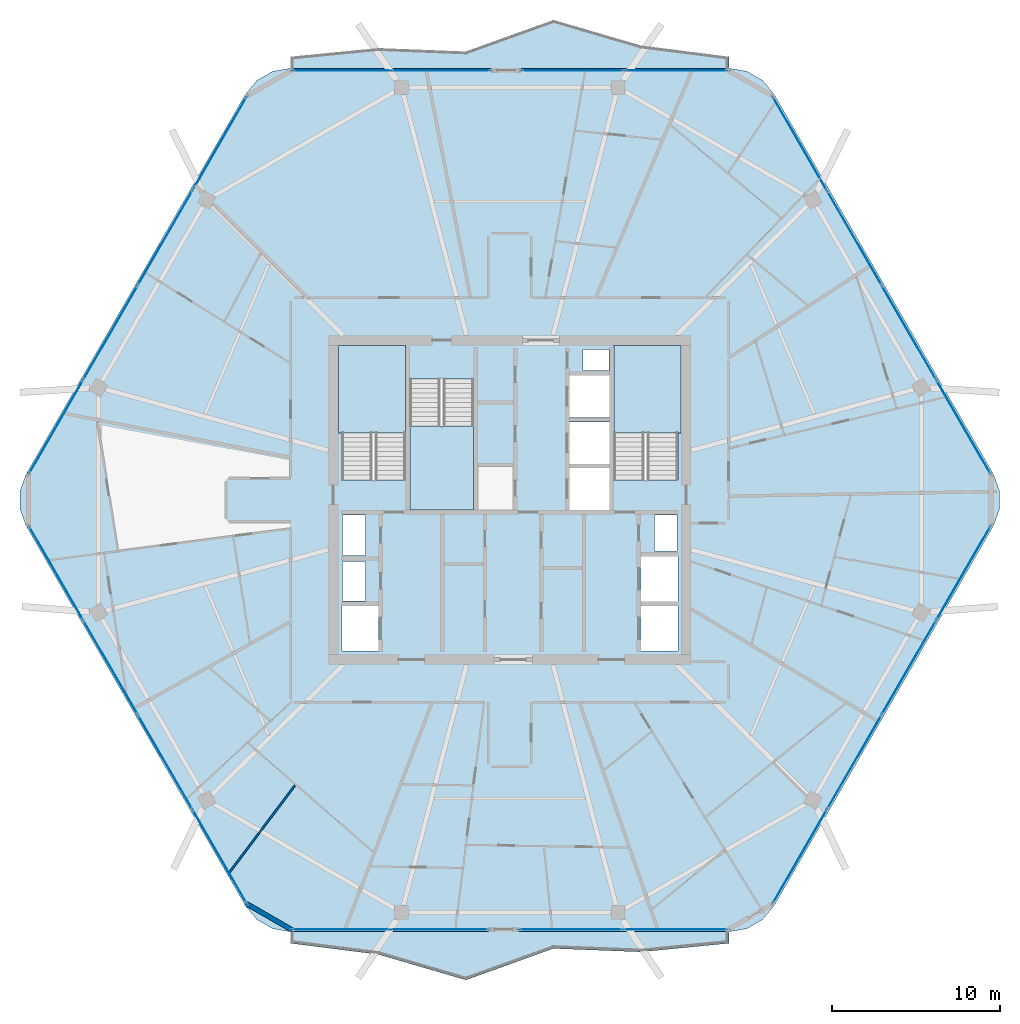
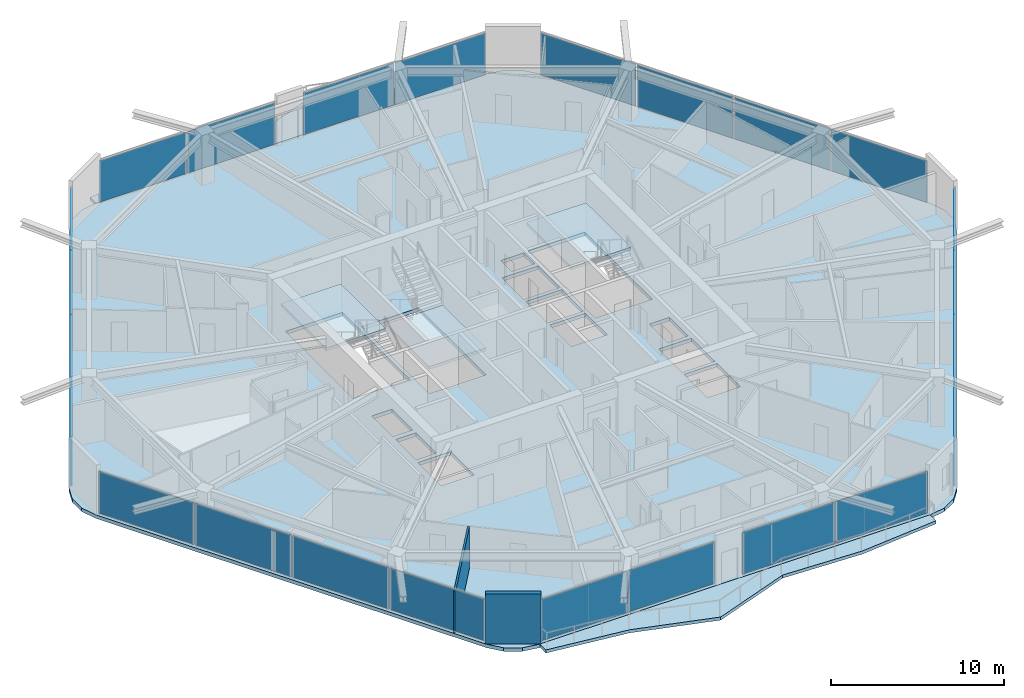
# One storey, part 18 of 26: 24 plates, 6 slabs, 2 walls, 11 elements without a shape of their own.
"""IFC4 building model written with IfcOpenShell, lengths in metres."""

from ifc_helpers import new_model, si_unit, direction, frame, frame_2d, origin, origin_2d, place, context, subcontext, project, spatial, polyline, rectangle, outline, extrude, material, layer, layer_set, type_object, element, aggregate, save


model = new_model("IFC4")

# Units and contexts
model_context = context("Model", 3, precision=1e-05, world=origin(), true_north=direction((0.0, 1.0)))
body_context = subcontext(model_context, "Body", "Model", "MODEL_VIEW")
ifc_project = project(units=[si_unit("LENGTHUNIT", "METRE"), si_unit("AREAUNIT", "SQUARE_METRE"), si_unit("VOLUMEUNIT", "CUBIC_METRE"), si_unit("PLANEANGLEUNIT", "RADIAN"), si_unit("MASSUNIT", "GRAM", prefix="KILO")], contexts=[model_context])

# Site, building, storey
site_placement = place(None, origin())
site = spatial("IfcSite", under=ifc_project, at=site_placement, CompositionType="ELEMENT")
building_placement = place(site_placement, origin())
building = spatial("IfcBuilding", under=site, at=building_placement, Name="Zuhravey Tower", CompositionType="ELEMENT")
storey_placement = place(building_placement, frame((0.0, 0.0, 288.199951171875)))
storey = spatial("IfcBuildingStorey", under=building, at=storey_placement, Name="L73", CompositionType="ELEMENT", Elevation=288.199951171875)

# Slabs
ifc_material_1 = material(Name="Concrete C50/60", Category="concrete")
ifc_layer_1 = layer(ifc_material_1, 0.25)
ifc_layer_set_1 = layer_set([ifc_layer_1], Name="Concrete C50/60")
slab_type_1 = type_object("IfcSlabType", Name="Residential Acoustic Slab 250", PredefinedType="FLOOR", material=ifc_layer_set_1)
slab_1_placement = place(storey_placement, frame((0.0, 0.0, -0.25)))
element("IfcSlab", 1, at=slab_1_placement, inside=storey, type_object=slab_type_1, Name="L73 Floor Slab FS25", PredefinedType="FLOOR", context=body_context, shape_type="SweptSolid", body=[
    extrude(outline(polyline([(64.78515625, 30.449951171875), (65.1533203125, 31.461669921875), (65.1533203125, 32.538330078125), (64.78515625, 33.550048828125), (51.73486328125, 56.153564453125), (51.04296875, 56.978515625), (50.110595703125, 57.5166015625), (49.05029296875, 57.70361328125), (22.94970703125, 57.70361328125), (21.889404296875, 57.5166015625), (20.95703125, 56.978515625), (20.26513671875, 56.153564453125), (7.21484375, 33.550048828125), (6.8466796875, 32.538330078125), (6.8466796875, 31.461669921875), (7.21484375, 30.449951171875), (20.26513671875, 7.846435546875), (20.95703125, 7.021484375), (21.889404296875, 6.4833984375), (22.94970703125, 6.29638671875), (49.05029296875, 6.29638671875), (50.110595703125, 6.4833984375), (51.04296875, 7.021484375), (51.73486328125, 7.846435546875), (64.78515625, 30.449951171875)]), holes=[polyline([(29.800048828125, 33.20068359375), (29.800048828125, 41.0), (26.0, 41.0), (26.0, 33.20068359375), (29.800048828125, 33.20068359375)]), polyline([(46.0, 33.20068359375), (46.0, 41.0), (42.199951171875, 41.0), (42.199951171875, 33.20068359375), (46.0, 33.20068359375)]), polyline([(30.050048828125, 39.199462890625), (30.050048828125, 31.39990234375), (33.85009765625, 31.39990234375), (33.85009765625, 39.199462890625), (30.050048828125, 39.199462890625)]), polyline([(39.550048828125, 31.39990234375), (41.949951171875, 31.39990234375), (41.949951171875, 33.89990234375), (39.550048828125, 33.89990234375), (39.550048828125, 31.39990234375)]), polyline([(39.550048828125, 34.14990234375), (41.949951171875, 34.14990234375), (41.949951171875, 36.64990234375), (39.550048828125, 36.64990234375), (39.550048828125, 34.14990234375)]), polyline([(39.550048828125, 36.89990234375), (41.949951171875, 36.89990234375), (41.949951171875, 39.39990234375), (39.550048828125, 39.39990234375), (39.550048828125, 36.89990234375)]), polyline([(26.0, 23.0), (28.199951171875, 23.0), (28.199951171875, 25.699951171875), (26.0, 25.699951171875), (26.0, 23.0)]), polyline([(43.800048828125, 23.0), (46.0, 23.0), (46.0, 25.699951171875), (43.800048828125, 25.699951171875), (43.800048828125, 23.0)]), polyline([(43.800048828125, 25.949951171875), (46.0, 25.949951171875), (46.0, 28.64990234375), (43.800048828125, 28.64990234375), (43.800048828125, 25.949951171875)]), polyline([(26.050048828125, 26.0), (27.39990234375, 26.0), (27.39990234375, 28.35009765625), (26.050048828125, 28.35009765625), (26.050048828125, 26.0)]), polyline([(26.050048828125, 28.699951171875), (27.39990234375, 28.699951171875), (27.39990234375, 31.10009765625), (26.050048828125, 31.10009765625), (26.050048828125, 28.699951171875)]), polyline([(44.60009765625, 28.949951171875), (45.949951171875, 28.949951171875), (45.949951171875, 31.10009765625), (44.60009765625, 31.10009765625), (44.60009765625, 28.949951171875)]), polyline([(40.35009765625, 39.699951171875), (41.89990234375, 39.699951171875), (41.89990234375, 40.949951171875), (40.35009765625, 40.949951171875), (40.35009765625, 39.699951171875)])]), origin(), (0.0, 0.0, 1.0), 0.25),
])
ifc_material_2 = material(Name="Concrete C40/50", Category="concrete")
ifc_layer_2 = layer(ifc_material_2, 0.219970703125)
ifc_layer_set_2 = layer_set([ifc_layer_2], Name="Concrete C40/50")
slab_type_2 = type_object("IfcSlabType", Name="Sinusoidal Residential Wave Balcony 220", PredefinedType="FLOOR", material=ifc_layer_set_2)
slab_2_placement = place(storey_placement, frame((0.0, 0.0, -0.219970703125)))
element("IfcSlab", 2, at=slab_2_placement, inside=storey, type_object=slab_type_2, Name="L73 Face 2 Wave Balcony WB22", PredefinedType="FLOOR", context=body_context, shape_type="SweptSolid", body=[
    extrude(outline(polyline([(49.04150390625, 57.688720703125), (22.95849609375, 57.688720703125), (22.95849609375, 58.388671875), (28.175048828125, 58.900634765625), (33.3916015625, 58.6962890625), (38.6083984375, 60.571533203125), (43.824951171875, 59.05126953125), (49.04150390625, 58.388671875), (49.04150390625, 57.688720703125)])), origin(), (0.0, 0.0, 1.0), 0.219970703125),
])
slab_3_placement = place(storey_placement, frame((0.0, 0.0, -0.219970703125)))
element("IfcSlab", 3, at=slab_3_placement, inside=storey, type_object=slab_type_2, Name="L73 Face 5 Wave Balcony WB22", PredefinedType="FLOOR", context=body_context, shape_type="SweptSolid", body=[
    extrude(outline(polyline([(22.95849609375, 6.311279296875), (49.04150390625, 6.311279296875), (49.04150390625, 5.611328125), (43.824951171875, 5.099365234375), (38.6083984375, 5.3037109375), (33.3916015625, 3.428466796875), (28.175048828125, 4.94873046875), (22.95849609375, 5.611328125), (22.95849609375, 6.311279296875)])), origin(), (0.0, 0.0, 1.0), 0.219970703125),
])

# Stair, slab
stair_type = type_object("IfcStairType", Name="Housing Storey Stair Assembly 3800", PredefinedType="HALF_TURN_STAIR", material=ifc_material_2)
stair_1_placement = place(storey_placement, origin())
stair_1 = element("IfcStair", 4, at=stair_1_placement, inside=storey, type_object=stair_type, Name="L73 Core Exit Stair ST1", PredefinedType="HALF_TURN_STAIR")
ifc_layer_3 = layer(ifc_material_2, 0.199951171875)
ifc_layer_set_3 = layer_set([ifc_layer_3], Name="Concrete C40/50")
slab_type_3 = type_object("IfcSlabType", Name="Stair Landing Slab 200", PredefinedType="LANDING", material=ifc_layer_set_3)
slab_4_placement = place(storey_placement, frame((0.0, 0.0, 1.699951171875)))
slab_4 = element("IfcSlab", 5, at=slab_4_placement, type_object=slab_type_3, Name="ST1 landing 1", PredefinedType="LANDING", context=body_context, shape_type="SweptSolid", body=[
    extrude(outline(polyline([(29.800048828125, 36.0), (29.800048828125, 41.197998046875), (25.802001953125, 41.197998046875), (25.802001953125, 36.0), (29.800048828125, 36.0)])), origin(), (0.0, 0.0, 1.0), 0.2001953125),
])
aggregate(stair_1, [slab_4])

stair_2_placement = place(storey_placement, origin())
stair_2 = element("IfcStair", 6, at=stair_2_placement, inside=storey, type_object=stair_type, Name="L73 Core Exit Stair ST2", PredefinedType="HALF_TURN_STAIR")
slab_5_placement = place(storey_placement, frame((0.0, 0.0, 1.699951171875)))
slab_5 = element("IfcSlab", 7, at=slab_5_placement, type_object=slab_type_3, Name="ST2 landing 1", PredefinedType="LANDING", context=body_context, shape_type="SweptSolid", body=[
    extrude(outline(polyline([(46.197998046875, 36.0), (46.197998046875, 41.197998046875), (42.199951171875, 41.197998046875), (42.199951171875, 36.0), (46.197998046875, 36.0)])), origin(), (0.0, 0.0, 1.0), 0.2001953125),
])
aggregate(stair_2, [slab_5])

stair_3_placement = place(storey_placement, origin())
stair_3 = element("IfcStair", 8, at=stair_3_placement, inside=storey, type_object=stair_type, Name="L73 Core Exit Stair ST3", PredefinedType="HALF_TURN_STAIR")
slab_6_placement = place(storey_placement, frame((0.0, 0.0, 1.699951171875)))
slab_6 = element("IfcSlab", 9, at=slab_6_placement, type_object=slab_type_3, Name="ST3 landing 1", PredefinedType="LANDING", context=body_context, shape_type="SweptSolid", body=[
    extrude(outline(polyline([(30.050048828125, 36.39990234375), (30.050048828125, 31.39990234375), (33.85009765625, 31.39990234375), (33.85009765625, 36.39990234375), (30.050048828125, 36.39990234375)])), origin(), (0.0, 0.0, 1.0), 0.2001953125),
])
aggregate(stair_3, [slab_6])

# Curtain wall, plates
ifc_material_3 = material(Name="Thermally broken anodised aluminium", Category="aluminium")
curtain_wall_type = type_object("IfcCurtainWallType", Name="Zone 3-4 High-Rise Curtain Wall CW4", PredefinedType="NOTDEFINED", material=ifc_material_3)
curtain_wall_1_placement = place(storey_placement, origin())
curtain_wall_1 = element("IfcCurtainWall", 10, at=curtain_wall_1_placement, inside=storey, type_object=curtain_wall_type, Name="L73 CW4 CW-L73-F6-1", PredefinedType="NOTDEFINED")
ifc_material_4 = material(Name="Triple low-E insulated vision glass", Category="glass")
ifc_layer_4 = layer(ifc_material_4, 0.0419921875)
ifc_layer_set_4 = layer_set([ifc_layer_4], Name="Triple low-E insulated vision glass")
plate_type = type_object("IfcPlateType", Name="Triple Low-E Vision Panel", PredefinedType="CURTAIN_PANEL", material=ifc_layer_set_4)
plate_1_placement = place(storey_placement, frame((63.00732421875, 27.650634765625, 0.090087890625), z_axis=(0.0, 0.0, 1.0), x_axis=(-0.500000957414, -0.866024851021, 0.0)))
plate_1 = element("IfcPlate", 11, at=plate_1_placement, type_object=plate_type, Name="CW4 panel 1.1", PredefinedType="CURTAIN_PANEL", context=body_context, shape_type="SweptSolid", body=[
    extrude(rectangle(XDim=6.371337890625, YDim=0.0419921875, at=origin_2d()), origin(), (0.0, 0.0, 1.0), 2.94189453125),
])
plate_2_placement = place(storey_placement, frame((59.765380859375, 22.03564453125, 0.090087890625), z_axis=(0.0, 0.0, 1.0), x_axis=(-0.500000957414, -0.866024851021, 0.0)))
plate_2 = element("IfcPlate", 12, at=plate_2_placement, type_object=plate_type, Name="CW4 panel 2.1", PredefinedType="CURTAIN_PANEL", context=body_context, shape_type="SweptSolid", body=[
    extrude(rectangle(XDim=6.416259765625, YDim=0.0419921875, at=origin_2d()), origin(), (0.0, 0.0, 1.0), 2.94189453125),
])
plate_3_placement = place(storey_placement, frame((56.51220703125, 16.40087890625, 0.090087890625), z_axis=(0.0, 0.0, 1.0), x_axis=(-0.500000957414, -0.866024851021, 0.0)))
plate_3 = element("IfcPlate", 13, at=plate_3_placement, type_object=plate_type, Name="CW4 panel 3.1", PredefinedType="CURTAIN_PANEL", context=body_context, shape_type="SweptSolid", body=[
    extrude(rectangle(XDim=6.416259765625, YDim=0.0419921875, at=origin_2d()), origin(), (0.0, 0.0, 1.0), 2.94189453125),
])
plate_4_placement = place(storey_placement, frame((53.270263671875, 10.78564453125, 0.090087890625), z_axis=(0.0, 0.0, 1.0), x_axis=(-0.500000957414, -0.866024851021, 0.0)))
plate_4 = element("IfcPlate", 14, at=plate_4_placement, type_object=plate_type, Name="CW4 panel 4.1", PredefinedType="CURTAIN_PANEL", context=body_context, shape_type="SweptSolid", body=[
    extrude(rectangle(XDim=6.371337890625, YDim=0.0419921875, at=origin_2d()), origin(), (0.0, 0.0, 1.0), 2.94189453125),
])
aggregate(curtain_wall_1, [plate_1, plate_2, plate_3, plate_4])

curtain_wall_2_placement = place(storey_placement, origin())
curtain_wall_2 = element("IfcCurtainWall", 15, at=curtain_wall_2_placement, inside=storey, type_object=curtain_wall_type, Name="L73 CW4 CW-L73-F5-1", PredefinedType="NOTDEFINED")
plate_5_placement = place(storey_placement, frame((45.858642578125, 6.436279296875, 0.090087890625), z_axis=(0.0, 0.0, 1.0), x_axis=(-1.0, 0.0, 0.0)))
plate_5 = element("IfcPlate", 16, at=plate_5_placement, type_object=plate_type, Name="CW4 panel 1.1", PredefinedType="CURTAIN_PANEL", context=body_context, shape_type="SweptSolid", body=[
    extrude(rectangle(XDim=6.128173828125, YDim=0.0419921875, at=origin_2d()), origin(), (0.0, 0.0, 1.0), 2.94189453125),
])
plate_6_placement = place(storey_placement, frame((39.640380859375, 6.436279296875, 0.090087890625), z_axis=(0.0, 0.0, 1.0), x_axis=(-1.0, 0.0, 0.0)))
plate_6 = element("IfcPlate", 17, at=plate_6_placement, type_object=plate_type, Name="CW4 panel 2.1", PredefinedType="CURTAIN_PANEL", context=body_context, shape_type="SweptSolid", body=[
    extrude(rectangle(XDim=6.128173828125, YDim=0.0419921875, at=origin_2d()), origin(), (0.0, 0.0, 1.0), 2.94189453125),
])
aggregate(curtain_wall_2, [plate_5, plate_6])

curtain_wall_3_placement = place(storey_placement, origin())
curtain_wall_3 = element("IfcCurtainWall", 18, at=curtain_wall_3_placement, inside=storey, type_object=curtain_wall_type, Name="L73 CW4 CW-L73-F5-2", PredefinedType="NOTDEFINED")
plate_7_placement = place(storey_placement, frame((31.81396484375, 6.436279296875, 0.090087890625), z_axis=(0.0, 0.0, 1.0), x_axis=(-1.0, 0.0, 0.0)))
plate_7 = element("IfcPlate", 19, at=plate_7_placement, type_object=plate_type, Name="CW4 panel 1.1", PredefinedType="CURTAIN_PANEL", context=body_context, shape_type="SweptSolid", body=[
    extrude(rectangle(XDim=5.764404296875, YDim=0.0419921875, at=origin_2d()), origin(), (0.0, 0.0, 1.0), 2.94189453125),
])
plate_8_placement = place(storey_placement, frame((25.95947265625, 6.436279296875, 0.090087890625), z_axis=(0.0, 0.0, 1.0), x_axis=(-1.0, 0.0, 0.0)))
plate_8 = element("IfcPlate", 20, at=plate_8_placement, type_object=plate_type, Name="CW4 panel 2.1", PredefinedType="CURTAIN_PANEL", context=body_context, shape_type="SweptSolid", body=[
    extrude(rectangle(XDim=5.764404296875, YDim=0.0419921875, at=origin_2d()), origin(), (0.0, 0.0, 1.0), 2.94189453125),
])
aggregate(curtain_wall_3, [plate_7, plate_8])

curtain_wall_4_placement = place(storey_placement, origin())
curtain_wall_4 = element("IfcCurtainWall", 21, at=curtain_wall_4_placement, inside=storey, type_object=curtain_wall_type, Name="L73 CW4 CW-L73-F4-1", PredefinedType="NOTDEFINED")
plate_9_placement = place(storey_placement, frame((18.729736328125, 10.78564453125, 0.090087890625), z_axis=(0.0, 0.0, 1.0), x_axis=(-0.500000957414, 0.866024851021, 0.0)))
plate_9 = element("IfcPlate", 22, at=plate_9_placement, type_object=plate_type, Name="CW4 panel 1.1", PredefinedType="CURTAIN_PANEL", context=body_context, shape_type="SweptSolid", body=[
    extrude(rectangle(XDim=6.371337890625, YDim=0.0419921875, at=origin_2d()), origin(), (0.0, 0.0, 1.0), 2.94189453125),
])
plate_10_placement = place(storey_placement, frame((15.48779296875, 16.40087890625, 0.090087890625), z_axis=(0.0, 0.0, 1.0), x_axis=(-0.500000957414, 0.866024851021, 0.0)))
plate_10 = element("IfcPlate", 23, at=plate_10_placement, type_object=plate_type, Name="CW4 panel 2.1", PredefinedType="CURTAIN_PANEL", context=body_context, shape_type="SweptSolid", body=[
    extrude(rectangle(XDim=6.416259765625, YDim=0.0419921875, at=origin_2d()), origin(), (0.0, 0.0, 1.0), 2.94189453125),
])
plate_11_placement = place(storey_placement, frame((12.234619140625, 22.03564453125, 0.090087890625), z_axis=(0.0, 0.0, 1.0), x_axis=(-0.500000957414, 0.866024851021, 0.0)))
plate_11 = element("IfcPlate", 24, at=plate_11_placement, type_object=plate_type, Name="CW4 panel 3.1", PredefinedType="CURTAIN_PANEL", context=body_context, shape_type="SweptSolid", body=[
    extrude(rectangle(XDim=6.416259765625, YDim=0.0419921875, at=origin_2d()), origin(), (0.0, 0.0, 1.0), 2.94189453125),
])
plate_12_placement = place(storey_placement, frame((8.99267578125, 27.650634765625, 0.090087890625), z_axis=(0.0, 0.0, 1.0), x_axis=(-0.500000957414, 0.866024851021, 0.0)))
plate_12 = element("IfcPlate", 25, at=plate_12_placement, type_object=plate_type, Name="CW4 panel 4.1", PredefinedType="CURTAIN_PANEL", context=body_context, shape_type="SweptSolid", body=[
    extrude(rectangle(XDim=6.371337890625, YDim=0.0419921875, at=origin_2d()), origin(), (0.0, 0.0, 1.0), 2.94189453125),
])
aggregate(curtain_wall_4, [plate_9, plate_10, plate_11, plate_12])

curtain_wall_5_placement = place(storey_placement, origin())
curtain_wall_5 = element("IfcCurtainWall", 26, at=curtain_wall_5_placement, inside=storey, type_object=curtain_wall_type, Name="L73 CW4 CW-L73-F3-1", PredefinedType="NOTDEFINED")
plate_13_placement = place(storey_placement, frame((8.99267578125, 36.349365234375, 0.090087890625), z_axis=(0.0, 0.0, 1.0), x_axis=(0.500000957414, 0.866024851021, 0.0)))
plate_13 = element("IfcPlate", 27, at=plate_13_placement, type_object=plate_type, Name="CW4 panel 1.1", PredefinedType="CURTAIN_PANEL", context=body_context, shape_type="SweptSolid", body=[
    extrude(rectangle(XDim=6.371337890625, YDim=0.0419921875, at=origin_2d()), origin(), (0.0, 0.0, 1.0), 2.94189453125),
])
plate_14_placement = place(storey_placement, frame((12.234619140625, 41.96435546875, 0.090087890625), z_axis=(0.0, 0.0, 1.0), x_axis=(0.500000957414, 0.866024851021, 0.0)))
plate_14 = element("IfcPlate", 28, at=plate_14_placement, type_object=plate_type, Name="CW4 panel 2.1", PredefinedType="CURTAIN_PANEL", context=body_context, shape_type="SweptSolid", body=[
    extrude(rectangle(XDim=6.416259765625, YDim=0.0419921875, at=origin_2d()), origin(), (0.0, 0.0, 1.0), 2.94189453125),
])
plate_15_placement = place(storey_placement, frame((15.48779296875, 47.59912109375, 0.090087890625), z_axis=(0.0, 0.0, 1.0), x_axis=(0.500000957414, 0.866024851021, 0.0)))
plate_15 = element("IfcPlate", 29, at=plate_15_placement, type_object=plate_type, Name="CW4 panel 3.1", PredefinedType="CURTAIN_PANEL", context=body_context, shape_type="SweptSolid", body=[
    extrude(rectangle(XDim=6.416259765625, YDim=0.0419921875, at=origin_2d()), origin(), (0.0, 0.0, 1.0), 2.94189453125),
])
plate_16_placement = place(storey_placement, frame((18.729736328125, 53.21435546875, 0.090087890625), z_axis=(0.0, 0.0, 1.0), x_axis=(0.500000957414, 0.866024851021, 0.0)))
plate_16 = element("IfcPlate", 30, at=plate_16_placement, type_object=plate_type, Name="CW4 panel 4.1", PredefinedType="CURTAIN_PANEL", context=body_context, shape_type="SweptSolid", body=[
    extrude(rectangle(XDim=6.371337890625, YDim=0.0419921875, at=origin_2d()), origin(), (0.0, 0.0, 1.0), 2.94189453125),
])
aggregate(curtain_wall_5, [plate_13, plate_14, plate_15, plate_16])

curtain_wall_6_placement = place(storey_placement, origin())
curtain_wall_6 = element("IfcCurtainWall", 31, at=curtain_wall_6_placement, inside=storey, type_object=curtain_wall_type, Name="L73 CW4 CW-L73-F2-1", PredefinedType="NOTDEFINED")
plate_17_placement = place(storey_placement, frame((25.995849609375, 57.563720703125, 0.090087890625), z_axis=(0.0, 0.0, 1.0), x_axis=(1.0, 0.0, 0.0)))
plate_17 = element("IfcPlate", 32, at=plate_17_placement, type_object=plate_type, Name="CW4 panel 1.1", PredefinedType="CURTAIN_PANEL", context=body_context, shape_type="SweptSolid", body=[
    extrude(rectangle(XDim=5.8369140625, YDim=0.0419921875, at=origin_2d()), origin(), (0.0, 0.0, 1.0), 2.94189453125),
])
plate_18_placement = place(storey_placement, frame((31.922607421875, 57.563720703125, 0.090087890625), z_axis=(0.0, 0.0, 1.0), x_axis=(1.0, 0.0, 0.0)))
plate_18 = element("IfcPlate", 33, at=plate_18_placement, type_object=plate_type, Name="CW4 panel 2.1", PredefinedType="CURTAIN_PANEL", context=body_context, shape_type="SweptSolid", body=[
    extrude(rectangle(XDim=5.8369140625, YDim=0.0419921875, at=origin_2d()), origin(), (0.0, 0.0, 1.0), 2.94189453125),
])
aggregate(curtain_wall_6, [plate_17, plate_18])

curtain_wall_7_placement = place(storey_placement, origin())
curtain_wall_7 = element("IfcCurtainWall", 34, at=curtain_wall_7_placement, inside=storey, type_object=curtain_wall_type, Name="L73 CW4 CW-L73-F2-2", PredefinedType="NOTDEFINED")
plate_19_placement = place(storey_placement, frame((39.7490234375, 57.563720703125, 0.090087890625), z_axis=(0.0, 0.0, 1.0), x_axis=(1.0, 0.0, 0.0)))
plate_19 = element("IfcPlate", 35, at=plate_19_placement, type_object=plate_type, Name="CW4 panel 1.1", PredefinedType="CURTAIN_PANEL", context=body_context, shape_type="SweptSolid", body=[
    extrude(rectangle(XDim=6.0556640625, YDim=0.0419921875, at=origin_2d()), origin(), (0.0, 0.0, 1.0), 2.94189453125),
])
plate_20_placement = place(storey_placement, frame((45.894775390625, 57.563720703125, 0.090087890625), z_axis=(0.0, 0.0, 1.0), x_axis=(1.0, 0.0, 0.0)))
plate_20 = element("IfcPlate", 36, at=plate_20_placement, type_object=plate_type, Name="CW4 panel 2.1", PredefinedType="CURTAIN_PANEL", context=body_context, shape_type="SweptSolid", body=[
    extrude(rectangle(XDim=6.0556640625, YDim=0.0419921875, at=origin_2d()), origin(), (0.0, 0.0, 1.0), 2.94189453125),
])
aggregate(curtain_wall_7, [plate_19, plate_20])

curtain_wall_8_placement = place(storey_placement, origin())
curtain_wall_8 = element("IfcCurtainWall", 37, at=curtain_wall_8_placement, inside=storey, type_object=curtain_wall_type, Name="L73 CW4 CW-L73-F1-1", PredefinedType="NOTDEFINED")
plate_21_placement = place(storey_placement, frame((53.270263671875, 53.21435546875, 0.090087890625), z_axis=(0.0, 0.0, 1.0), x_axis=(0.500000957414, -0.866024851021, 0.0)))
plate_21 = element("IfcPlate", 38, at=plate_21_placement, type_object=plate_type, Name="CW4 panel 1.1", PredefinedType="CURTAIN_PANEL", context=body_context, shape_type="SweptSolid", body=[
    extrude(rectangle(XDim=6.371337890625, YDim=0.0419921875, at=origin_2d()), origin(), (0.0, 0.0, 1.0), 2.94189453125),
])
plate_22_placement = place(storey_placement, frame((56.51220703125, 47.59912109375, 0.090087890625), z_axis=(0.0, 0.0, 1.0), x_axis=(0.500000957414, -0.866024851021, 0.0)))
plate_22 = element("IfcPlate", 39, at=plate_22_placement, type_object=plate_type, Name="CW4 panel 2.1", PredefinedType="CURTAIN_PANEL", context=body_context, shape_type="SweptSolid", body=[
    extrude(rectangle(XDim=6.416259765625, YDim=0.0419921875, at=origin_2d()), origin(), (0.0, 0.0, 1.0), 2.94189453125),
])
plate_23_placement = place(storey_placement, frame((59.765380859375, 41.96435546875, 0.090087890625), z_axis=(0.0, 0.0, 1.0), x_axis=(0.500000957414, -0.866024851021, 0.0)))
plate_23 = element("IfcPlate", 40, at=plate_23_placement, type_object=plate_type, Name="CW4 panel 3.1", PredefinedType="CURTAIN_PANEL", context=body_context, shape_type="SweptSolid", body=[
    extrude(rectangle(XDim=6.416259765625, YDim=0.0419921875, at=origin_2d()), origin(), (0.0, 0.0, 1.0), 2.94189453125),
])
plate_24_placement = place(storey_placement, frame((63.00732421875, 36.349365234375, 0.090087890625), z_axis=(0.0, 0.0, 1.0), x_axis=(0.500000957414, -0.866024851021, 0.0)))
plate_24 = element("IfcPlate", 41, at=plate_24_placement, type_object=plate_type, Name="CW4 panel 4.1", PredefinedType="CURTAIN_PANEL", context=body_context, shape_type="SweptSolid", body=[
    extrude(rectangle(XDim=6.371337890625, YDim=0.0419921875, at=origin_2d()), origin(), (0.0, 0.0, 1.0), 2.94189453125),
])
aggregate(curtain_wall_8, [plate_21, plate_22, plate_23, plate_24])

# Walls
ifc_material_5 = material(Name="Precast concrete C40/50", Category="concrete")
ifc_layer_5 = layer(ifc_material_5, 0.280029296875)
ifc_layer_set_5 = layer_set([ifc_layer_5], Name="Precast concrete C40/50")
wall_type_1 = type_object("IfcWallType", Name="Crown Architectural Wall 280", PredefinedType="SOLIDWALL", material=ifc_layer_set_5)
wall_1_placement = place(storey_placement, frame((23.069580078125, 6.388916015625, 0.0), z_axis=(0.0, 0.0, 1.0), x_axis=(-0.866028773314, 0.499994163758, 0.0)))
element("IfcWall", 42, at=wall_1_placement, inside=storey, type_object=wall_type_1, Name="L73 Rounded Corner Closure Wall EW28-04", PredefinedType="SOLIDWALL", context=body_context, shape_type="SweptSolid", body=[
    extrude(rectangle(XDim=3.21484375, YDim=0.280029296875, at=frame_2d((1.607421875, 0.0))), origin(), (0.0, 0.0, 1.0), 3.550048828125),
])
ifc_material_6 = material(Name="Gypsum metal-stud partition")
ifc_layer_6 = layer(ifc_material_6, 0.1201171875)
ifc_layer_set_6 = layer_set([ifc_layer_6], Name="Gypsum metal-stud partition")
wall_type_2 = type_object("IfcWallType", Name="Unit Internal Partition 120", PredefinedType="PARTITIONING", material=ifc_layer_set_6)
wall_2_placement = place(storey_placement, frame((23.21240234375, 15.010498046875, 0.0), z_axis=(0.0, 0.0, 1.0), x_axis=(-0.601359603613, -0.798978489787, 0.0)))
element("IfcWall", 43, at=wall_2_placement, inside=storey, type_object=wall_type_2, Name="L73 IW12 Partition 076", PredefinedType="PARTITIONING", context=body_context, shape_type="SweptSolid", body=[
    extrude(rectangle(XDim=6.54638671875, YDim=0.1201171875, at=frame_2d((3.273193359375, 0.0))), origin(), (0.0, 0.0, 1.0), 2.929931640625),
])

save(model, "model.ifc")
